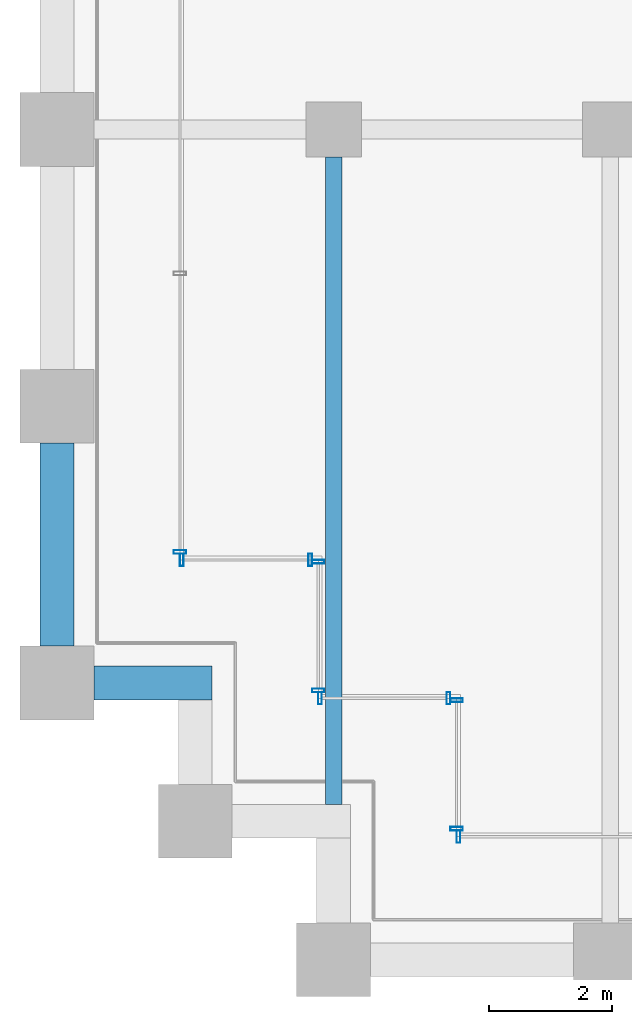
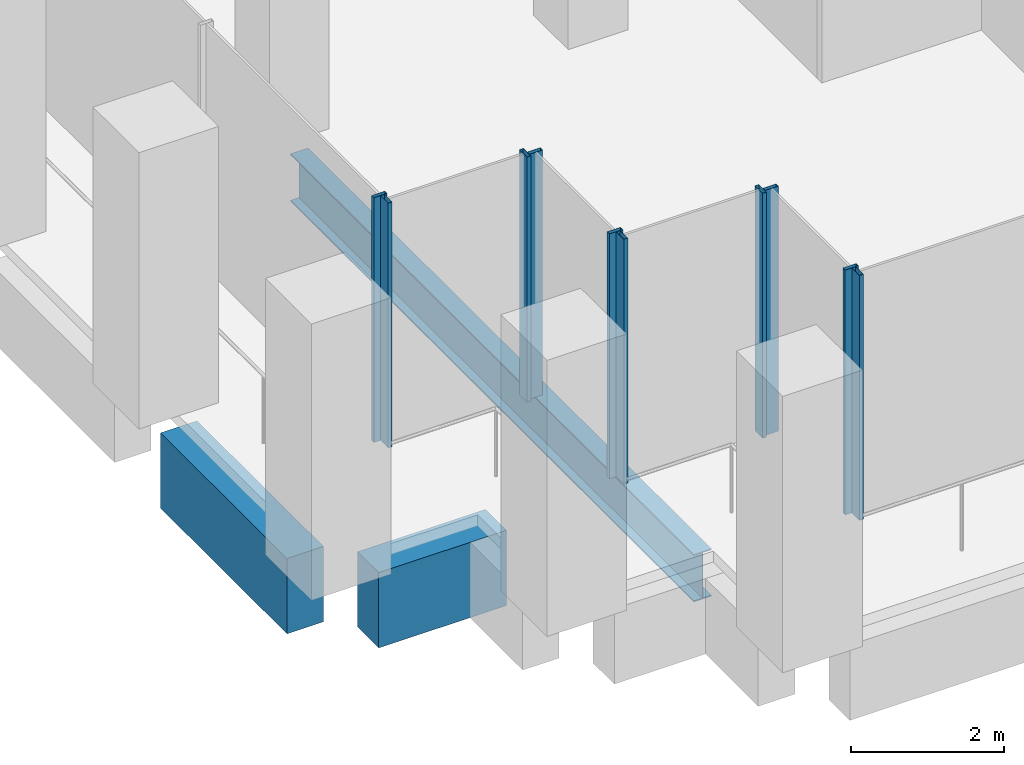
# One storey, part 2 of 36: 10 members, 3 beams, 6 elements without a shape of their own.
"""IFC4 building model written with IfcOpenShell, lengths in metres."""

from ifc_helpers import new_model, si_unit, direction, frame, origin, origin_2d, place, context, subcontext, project, spatial, rectangle, hollow_rectangle, i_section, extrude, material, material_profile, profile_set, type_object, element, aggregate, save


model = new_model("IFC4")

# Units and contexts
model_context = context("Model", 3, precision=1e-05, world=origin(), true_north=direction((0.0, 1.0)))
body_context = subcontext(model_context, "Body", "Model", "MODEL_VIEW")
ifc_project = project(units=[si_unit("LENGTHUNIT", "METRE"), si_unit("AREAUNIT", "SQUARE_METRE"), si_unit("VOLUMEUNIT", "CUBIC_METRE"), si_unit("PLANEANGLEUNIT", "RADIAN"), si_unit("MASSUNIT", "GRAM", prefix="KILO")], contexts=[model_context])

# Site, building, storey
site_placement = place(None, origin())
site = spatial("IfcSite", under=ifc_project, at=site_placement, CompositionType="ELEMENT")
building_placement = place(site_placement, origin())
building = spatial("IfcBuilding", under=site, at=building_placement, Name="Altepetl Exchange Towers", CompositionType="ELEMENT")
storey_placement = place(building_placement, frame((0.0, 0.0, 34.199951171875)))
storey = spatial("IfcBuildingStorey", under=building, at=storey_placement, Name="L07", CompositionType="ELEMENT", Elevation=34.199951171875)

# Beam
ifc_material_1 = material(Name="Steel S355", Category="steel")
ifc_material_profile_1 = material_profile(ifc_material_1, i_section(OverallWidth=0.26611328125, OverallDepth=0.758056640625, WebThickness=0.013916015625, FlangeThickness=0.019287109375, at=origin_2d()), Name="W30X108")
ifc_profile_set_1 = profile_set([ifc_material_profile_1], Name="Steel S355")
beam_type_1 = type_object("IfcBeamType", Name="Floor beam W30X108", PredefinedType="BEAM", material=ifc_profile_set_1)
beam_1_placement = place(storey_placement, frame((31.5, 29.52490234375, -0.553955078125), z_axis=(0.0, 1.0, 0.0), x_axis=(-1.0, 0.0, 0.0)))
element("IfcBeam", 1, at=beam_1_placement, inside=storey, type_object=beam_type_1, Name="bm:A:L07:012", PredefinedType="BEAM", context=body_context, shape_type="SweptSolid", body=[
    extrude(i_section(OverallWidth=0.26611328125, OverallDepth=0.758056640625, WebThickness=0.013916015625, FlangeThickness=0.019287109375, at=origin_2d()), origin(), (0.0, 0.0, 1.0), 10.525146484375),
])

# Curtain wall, member
ifc_material_2 = material(Name="Aluminium 6063-T6 glazing", Category="aluminium")
curtain_wall_type = type_object("IfcCurtainWallType", Name="Trading floor glazing system", PredefinedType="NOTDEFINED", material=ifc_material_2)
curtain_wall_1_placement = place(storey_placement, origin())
curtain_wall_1 = element("IfcCurtainWall", 2, at=curtain_wall_1_placement, inside=storey, type_object=curtain_wall_type, Name="CW2 run", PredefinedType="NOTDEFINED")
ifc_material_3 = material(Name="Aluminium 6063-T6", Category="aluminium")
ifc_material_profile_2 = material_profile(ifc_material_3, hollow_rectangle(XDim=0.06005859375, YDim=0.199951171875, WallThickness=0.0029296875, at=origin_2d()), Name="Mullion 60x200 aluminium")
ifc_profile_set_2 = profile_set([ifc_material_profile_2], Name="Aluminium 6063-T6")
member_type = type_object("IfcMemberType", Name="Mullion 60x200 aluminium", PredefinedType="MULLION", material=ifc_profile_set_2)
member_1_placement = place(storey_placement, frame((29.0, 33.6298828125, 0.0), z_axis=(0.0, 0.0, 1.0), x_axis=(0.0, -1.0, 0.0)))
member_1 = element("IfcMember", 3, at=member_1_placement, type_object=member_type, Name="MU2 mullion", PredefinedType="MULLION", context=body_context, shape_type="SweptSolid", body=[
    extrude(hollow_rectangle(XDim=0.06005859375, YDim=0.199951171875, WallThickness=0.0029296875, at=origin_2d()), origin(), (0.0, 0.0, 1.0), 3.900146484375),
])
aggregate(curtain_wall_1, [member_1])

# Curtain wall, members
curtain_wall_2_placement = place(storey_placement, origin())
curtain_wall_2 = element("IfcCurtainWall", 4, at=curtain_wall_2_placement, inside=storey, type_object=curtain_wall_type, Name="CW2 run", PredefinedType="NOTDEFINED")
member_2_placement = place(storey_placement, frame((29.030029296875, 33.5, 0.0)))
member_2 = element("IfcMember", 5, at=member_2_placement, type_object=member_type, Name="MU2 mullion", PredefinedType="MULLION", context=body_context, shape_type="SweptSolid", body=[
    extrude(hollow_rectangle(XDim=0.06005859375, YDim=0.199951171875, WallThickness=0.0029296875, at=origin_2d()), origin(), (0.0, 0.0, 1.0), 3.900146484375),
])
member_3_placement = place(storey_placement, frame((31.1201171875, 33.5, 0.0)))
member_3 = element("IfcMember", 6, at=member_3_placement, type_object=member_type, Name="MU2 mullion", PredefinedType="MULLION", context=body_context, shape_type="SweptSolid", body=[
    extrude(hollow_rectangle(XDim=0.06005859375, YDim=0.199951171875, WallThickness=0.0029296875, at=origin_2d()), origin(), (0.0, 0.0, 1.0), 3.900146484375),
])
aggregate(curtain_wall_2, [member_2, member_3])

curtain_wall_3_placement = place(storey_placement, origin())
curtain_wall_3 = element("IfcCurtainWall", 7, at=curtain_wall_3_placement, inside=storey, type_object=curtain_wall_type, Name="CW2 run", PredefinedType="NOTDEFINED")
member_4_placement = place(storey_placement, frame((31.25, 33.469970703125, 0.0), z_axis=(0.0, 0.0, 1.0), x_axis=(0.0, -1.0, 0.0)))
member_4 = element("IfcMember", 8, at=member_4_placement, type_object=member_type, Name="MU2 mullion", PredefinedType="MULLION", context=body_context, shape_type="SweptSolid", body=[
    extrude(hollow_rectangle(XDim=0.06005859375, YDim=0.199951171875, WallThickness=0.0029296875, at=origin_2d()), origin(), (0.0, 0.0, 1.0), 3.900146484375),
])
member_5_placement = place(storey_placement, frame((31.25, 31.3798828125, 0.0), z_axis=(0.0, 0.0, 1.0), x_axis=(0.0, -1.0, 0.0)))
member_5 = element("IfcMember", 9, at=member_5_placement, type_object=member_type, Name="MU2 mullion", PredefinedType="MULLION", context=body_context, shape_type="SweptSolid", body=[
    extrude(hollow_rectangle(XDim=0.06005859375, YDim=0.199951171875, WallThickness=0.0029296875, at=origin_2d()), origin(), (0.0, 0.0, 1.0), 3.900146484375),
])
aggregate(curtain_wall_3, [member_4, member_5])

curtain_wall_4_placement = place(storey_placement, origin())
curtain_wall_4 = element("IfcCurtainWall", 10, at=curtain_wall_4_placement, inside=storey, type_object=curtain_wall_type, Name="CW2 run", PredefinedType="NOTDEFINED")
member_6_placement = place(storey_placement, frame((31.280029296875, 31.25, 0.0)))
member_6 = element("IfcMember", 11, at=member_6_placement, type_object=member_type, Name="MU2 mullion", PredefinedType="MULLION", context=body_context, shape_type="SweptSolid", body=[
    extrude(hollow_rectangle(XDim=0.06005859375, YDim=0.199951171875, WallThickness=0.0029296875, at=origin_2d()), origin(), (0.0, 0.0, 1.0), 3.900146484375),
])
member_7_placement = place(storey_placement, frame((33.3701171875, 31.25, 0.0)))
member_7 = element("IfcMember", 12, at=member_7_placement, type_object=member_type, Name="MU2 mullion", PredefinedType="MULLION", context=body_context, shape_type="SweptSolid", body=[
    extrude(hollow_rectangle(XDim=0.06005859375, YDim=0.199951171875, WallThickness=0.0029296875, at=origin_2d()), origin(), (0.0, 0.0, 1.0), 3.900146484375),
])
aggregate(curtain_wall_4, [member_6, member_7])

curtain_wall_5_placement = place(storey_placement, origin())
curtain_wall_5 = element("IfcCurtainWall", 13, at=curtain_wall_5_placement, inside=storey, type_object=curtain_wall_type, Name="CW2 run", PredefinedType="NOTDEFINED")
member_8_placement = place(storey_placement, frame((33.5, 31.219970703125, 0.0), z_axis=(0.0, 0.0, 1.0), x_axis=(0.0, -1.0, 0.0)))
member_8 = element("IfcMember", 14, at=member_8_placement, type_object=member_type, Name="MU2 mullion", PredefinedType="MULLION", context=body_context, shape_type="SweptSolid", body=[
    extrude(hollow_rectangle(XDim=0.06005859375, YDim=0.199951171875, WallThickness=0.0029296875, at=origin_2d()), origin(), (0.0, 0.0, 1.0), 3.900146484375),
])
member_9_placement = place(storey_placement, frame((33.5, 29.1298828125, 0.0), z_axis=(0.0, 0.0, 1.0), x_axis=(0.0, -1.0, 0.0)))
member_9 = element("IfcMember", 15, at=member_9_placement, type_object=member_type, Name="MU2 mullion", PredefinedType="MULLION", context=body_context, shape_type="SweptSolid", body=[
    extrude(hollow_rectangle(XDim=0.06005859375, YDim=0.199951171875, WallThickness=0.0029296875, at=origin_2d()), origin(), (0.0, 0.0, 1.0), 3.900146484375),
])
aggregate(curtain_wall_5, [member_8, member_9])

# Curtain wall, member
curtain_wall_6_placement = place(storey_placement, origin())
curtain_wall_6 = element("IfcCurtainWall", 16, at=curtain_wall_6_placement, inside=storey, type_object=curtain_wall_type, Name="CW2 run", PredefinedType="NOTDEFINED")
member_10_placement = place(storey_placement, frame((33.530029296875, 29.0, 0.0)))
member_10 = element("IfcMember", 17, at=member_10_placement, type_object=member_type, Name="MU2 mullion", PredefinedType="MULLION", context=body_context, shape_type="SweptSolid", body=[
    extrude(hollow_rectangle(XDim=0.06005859375, YDim=0.199951171875, WallThickness=0.0029296875, at=origin_2d()), origin(), (0.0, 0.0, 1.0), 3.900146484375),
])
aggregate(curtain_wall_6, [member_10])

# Beams
ifc_material_4 = material(Name="Concrete C50/60 precast with cantera blanca facing", Category="concrete")
ifc_material_profile_3 = material_profile(ifc_material_4, rectangle(XDim=0.550048828125, YDim=1.199951171875, at=origin_2d()), Name="550 x 1200")
ifc_profile_set_3 = profile_set([ifc_material_profile_3], Name="Concrete C50/60 precast with cantera blanca facing")
beam_type_2 = type_object("IfcBeamType", Name="Spandrel beam 550x1200 cantera blanca", PredefinedType="SPANDREL", material=ifc_profile_set_3)
beam_2_placement = place(storey_placement, frame((27.0, 35.39990234375, -0.77490234375), z_axis=(0.0, -1.0, 0.0), x_axis=(1.0, 0.0, 0.0)))
element("IfcBeam", 18, at=beam_2_placement, inside=storey, type_object=beam_type_2, Name="sp:A:L07:043", PredefinedType="SPANDREL", context=body_context, shape_type="SweptSolid", body=[
    extrude(rectangle(XDim=0.550048828125, YDim=1.199951171875, at=origin_2d()), origin(), (0.0, 0.0, 1.0), 3.2998046875),
])
beam_3_placement = place(storey_placement, frame((27.60009765625, 31.5, -0.77490234375), z_axis=(1.0, 0.0, 0.0), x_axis=(0.0, 1.0, 0.0)))
element("IfcBeam", 19, at=beam_3_placement, inside=storey, type_object=beam_type_2, Name="sp:A:L07:044", PredefinedType="SPANDREL", context=body_context, shape_type="SweptSolid", body=[
    extrude(rectangle(XDim=0.550048828125, YDim=1.199951171875, at=origin_2d()), origin(), (0.0, 0.0, 1.0), 1.9248046875),
])

save(model, "model.ifc")
